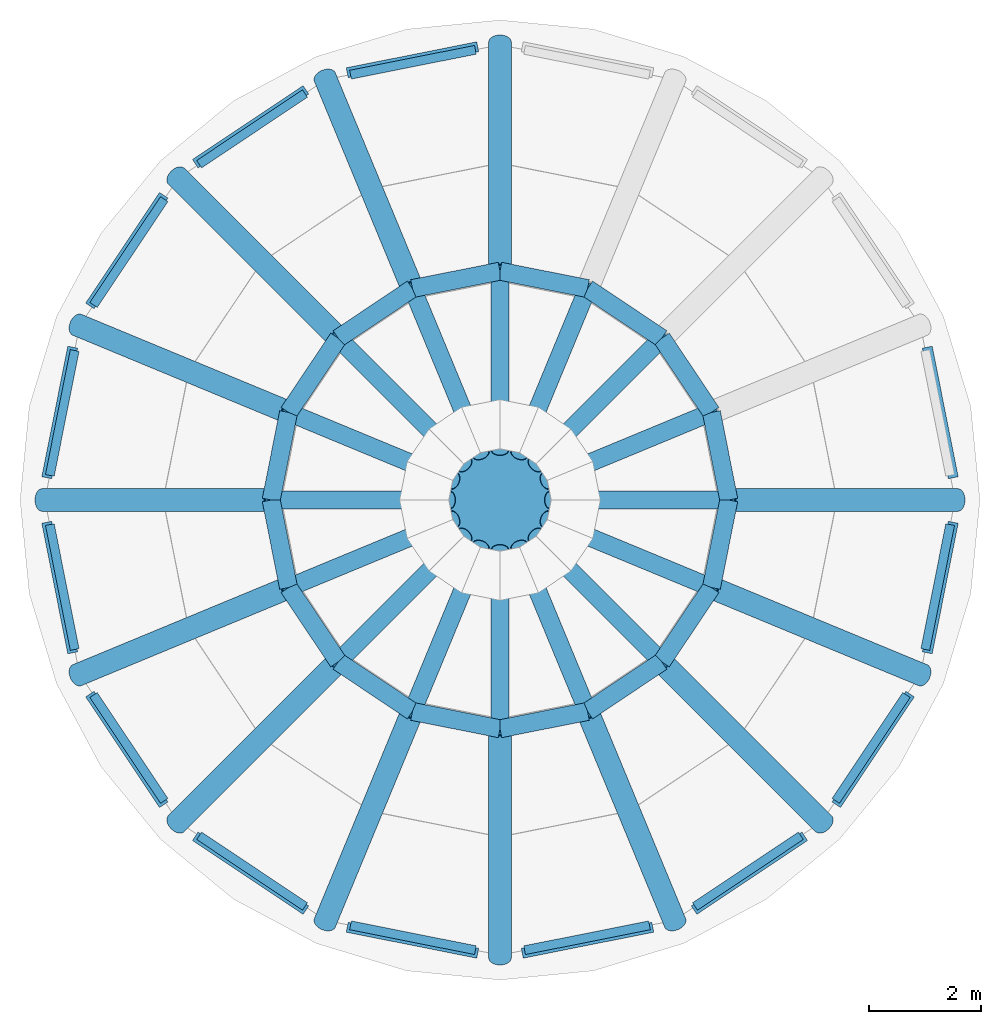
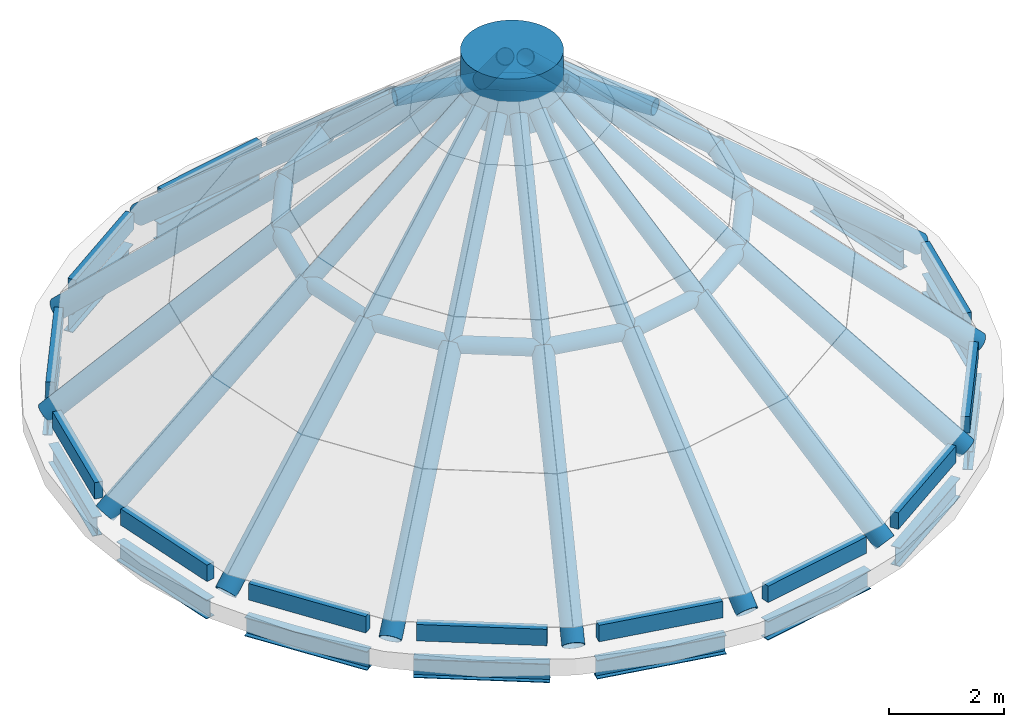
# One storey, part 1 of 3: 58 members, 13 beams, 12 elements without a shape of their own.
"""IFC4 building model written with IfcOpenShell, lengths in metres."""

from ifc_helpers import new_model, si_unit, direction, frame, origin, origin_2d, place, context, subcontext, project, spatial, rectangle, circle, hollow_circle, i_section, extrude, material, material_profile, profile_set, type_object, element, aggregate, save


model = new_model("IFC4")

# Units and contexts
model_context = context("Model", 3, precision=1e-05, world=origin(), true_north=direction((0.0, 1.0)))
body_context = subcontext(model_context, "Body", "Model", "MODEL_VIEW")
ifc_project = project(units=[si_unit("LENGTHUNIT", "METRE"), si_unit("AREAUNIT", "SQUARE_METRE"), si_unit("VOLUMEUNIT", "CUBIC_METRE"), si_unit("PLANEANGLEUNIT", "RADIAN"), si_unit("MASSUNIT", "GRAM", prefix="KILO")], contexts=[model_context])

# Site, building, storey
site_placement = place(None, origin())
site = spatial("IfcSite", under=ifc_project, at=site_placement, CompositionType="ELEMENT")
building_placement = place(site_placement, origin())
building = spatial("IfcBuilding", under=site, at=building_placement, Name="Polderwave Tower", CompositionType="ELEMENT")
storey_placement = place(building_placement, frame((0.0, 0.0, 247.699951171875)))
storey = spatial("IfcBuildingStorey", under=building, at=storey_placement, Name="Roof crown", CompositionType="ELEMENT", Elevation=247.699951171875)

# Members
ifc_material_1 = material(Name="Steel S460", Category="steel")
ifc_material_profile_1 = material_profile(ifc_material_1, circle(Radius=0.89990234375, at=origin_2d()), Name="HUB D1800")
ifc_profile_set_1 = profile_set([ifc_material_profile_1], Name="Steel S460")
member_type_1 = type_object("IfcMemberType", Name="CROWN FRAME HUB D1800", PredefinedType="POST", material=ifc_profile_set_1)
member_1_placement = place(storey_placement, frame((0.0, 0.0, 5.800048828125), z_axis=(0.0, 0.0, 1.0), x_axis=(1.0, 0.0, 0.0)))
element("IfcMember", 1, at=member_1_placement, inside=storey, type_object=member_type_1, Name="ST-CF-HUB", PredefinedType="POST", context=body_context, shape_type="SweptSolid", body=[
    extrude(circle(Radius=0.89990234375, at=origin_2d()), origin(), (0.0, 0.0, 1.0), 1.199951171875),
])
ifc_material_profile_2 = material_profile(ifc_material_1, hollow_circle(Radius=0.161865234375, WallThickness=0.012451171875, at=origin_2d()), Name="CHS 323.9x12.5")
ifc_profile_set_2 = profile_set([ifc_material_profile_2], Name="Steel S460")
member_type_2 = type_object("IfcMemberType", Name="CROWN FRAME RIB CHS 323.9x12.5", PredefinedType="RAFTER", material=ifc_profile_set_2)
member_2_placement = place(storey_placement, frame((4.10009765625, 0.0, 3.5), z_axis=(-0.760586166151, 0.0, 0.649237001302), x_axis=(0.0, -1.0, 0.0)))
element("IfcMember", 2, at=member_2_placement, inside=storey, type_object=member_type_2, Name="ST-CF-RIB-00B", PredefinedType="RAFTER", context=body_context, shape_type="SweptSolid", body=[
    extrude(hollow_circle(Radius=0.161865234375, WallThickness=0.012451171875, at=origin_2d()), origin(), (0.0, 0.0, 1.0), 4.20751953125),
])
for number, where, z_axis, x_axis, name in (
    (3, (3.787841796875, 1.569091796875, 3.5), (-0.702656906259, -0.291066730679, 0.649271461238), (0.382702185954, -0.923871764297, 0.0), "ST-CF-RIB-01B"),
    (4, (2.899169921875, 2.899169921875, 3.5), (-0.537797151946, -0.537797151946, 0.649267623341), (0.707106781187, -0.707106781187, 0.0), "ST-CF-RIB-02B"),
    (5, (1.569091796875, 3.787841796875, 3.5), (-0.291066730679, -0.702656906259, 0.649271461238), (0.923871764297, -0.382702185954, 0.0), "ST-CF-RIB-03B"),
):
    element("IfcMember", number, at=place(storey_placement, frame(where, z_axis=z_axis, x_axis=x_axis)), inside=storey, type_object=member_type_2, Name=name, PredefinedType="RAFTER", context=body_context, shape_type="SweptSolid", body=[
        extrude(hollow_circle(Radius=0.161865234375, WallThickness=0.012451171875, at=origin_2d()), origin(), (0.0, 0.0, 1.0), 4.207275390625),
    ])
member_3_placement = place(storey_placement, frame((0.0, 4.10009765625, 3.5), z_axis=(0.0, -0.760586166151, 0.649237001302), x_axis=(1.0, 0.0, 0.0)))
element("IfcMember", 6, at=member_3_placement, inside=storey, type_object=member_type_2, Name="ST-CF-RIB-04B", PredefinedType="RAFTER", context=body_context, shape_type="SweptSolid", body=[
    extrude(hollow_circle(Radius=0.161865234375, WallThickness=0.012451171875, at=origin_2d()), origin(), (0.0, 0.0, 1.0), 4.20751953125),
])
for number, where, z_axis, x_axis, name in (
    (7, (-1.569091796875, 3.787841796875, 3.5), (0.291066730679, -0.702656906259, 0.649271461238), (0.923871764297, 0.382702185954, 0.0), "ST-CF-RIB-05B"),
    (8, (-2.899169921875, 2.899169921875, 3.5), (0.537797151946, -0.537797151946, 0.649267623341), (0.707106781187, 0.707106781187, 0.0), "ST-CF-RIB-06B"),
    (9, (-3.787841796875, 1.569091796875, 3.5), (0.702656906259, -0.291066730679, 0.649271461238), (0.382702185954, 0.923871764297, 0.0), "ST-CF-RIB-07B"),
):
    element("IfcMember", number, at=place(storey_placement, frame(where, z_axis=z_axis, x_axis=x_axis)), inside=storey, type_object=member_type_2, Name=name, PredefinedType="RAFTER", context=body_context, shape_type="SweptSolid", body=[
        extrude(hollow_circle(Radius=0.161865234375, WallThickness=0.012451171875, at=origin_2d()), origin(), (0.0, 0.0, 1.0), 4.207275390625),
    ])
member_4_placement = place(storey_placement, frame((-4.10009765625, 0.0, 3.5), z_axis=(0.760586166151, 0.0, 0.649237001302), x_axis=(0.0, 1.0, 0.0)))
element("IfcMember", 10, at=member_4_placement, inside=storey, type_object=member_type_2, Name="ST-CF-RIB-08B", PredefinedType="RAFTER", context=body_context, shape_type="SweptSolid", body=[
    extrude(hollow_circle(Radius=0.161865234375, WallThickness=0.012451171875, at=origin_2d()), origin(), (0.0, 0.0, 1.0), 4.20751953125),
])
for number, where, z_axis, x_axis, name in (
    (11, (-3.787841796875, -1.569091796875, 3.5), (0.702656906259, 0.291066730679, 0.649271461238), (-0.382702185954, 0.923871764297, 0.0), "ST-CF-RIB-09B"),
    (12, (-2.899169921875, -2.899169921875, 3.5), (0.537797151946, 0.537797151946, 0.649267623341), (-0.707106781187, 0.707106781187, 0.0), "ST-CF-RIB-10B"),
    (13, (-1.569091796875, -3.787841796875, 3.5), (0.291066730679, 0.702656906259, 0.649271461238), (-0.923871764297, 0.382702185954, 0.0), "ST-CF-RIB-11B"),
):
    element("IfcMember", number, at=place(storey_placement, frame(where, z_axis=z_axis, x_axis=x_axis)), inside=storey, type_object=member_type_2, Name=name, PredefinedType="RAFTER", context=body_context, shape_type="SweptSolid", body=[
        extrude(hollow_circle(Radius=0.161865234375, WallThickness=0.012451171875, at=origin_2d()), origin(), (0.0, 0.0, 1.0), 4.207275390625),
    ])
member_5_placement = place(storey_placement, frame((0.0, -4.10009765625, 3.5), z_axis=(0.0, 0.760586166151, 0.649237001302), x_axis=(-1.0, 0.0, 0.0)))
element("IfcMember", 14, at=member_5_placement, inside=storey, type_object=member_type_2, Name="ST-CF-RIB-12B", PredefinedType="RAFTER", context=body_context, shape_type="SweptSolid", body=[
    extrude(hollow_circle(Radius=0.161865234375, WallThickness=0.012451171875, at=origin_2d()), origin(), (0.0, 0.0, 1.0), 4.20751953125),
])
for number, where, z_axis, x_axis, name in (
    (15, (1.569091796875, -3.787841796875, 3.5), (-0.291066730679, 0.702656906259, 0.649271461238), (-0.923871764297, -0.382702185954, 0.0), "ST-CF-RIB-13B"),
    (16, (2.899169921875, -2.899169921875, 3.5), (-0.537797151946, 0.537797151946, 0.649267623341), (-0.707106781187, -0.707106781187, 0.0), "ST-CF-RIB-14B"),
    (17, (3.787841796875, -1.569091796875, 3.5), (-0.702656906259, 0.291066730679, 0.649271461238), (-0.382702185954, -0.923871764297, 0.0), "ST-CF-RIB-15B"),
):
    element("IfcMember", number, at=place(storey_placement, frame(where, z_axis=z_axis, x_axis=x_axis)), inside=storey, type_object=member_type_2, Name=name, PredefinedType="RAFTER", context=body_context, shape_type="SweptSolid", body=[
        extrude(hollow_circle(Radius=0.161865234375, WallThickness=0.012451171875, at=origin_2d()), origin(), (0.0, 0.0, 1.0), 4.207275390625),
    ])
ifc_material_profile_3 = material_profile(ifc_material_1, hollow_circle(Radius=0.203125, WallThickness=0.01611328125, at=origin_2d()), Name="CHS 406.4x16")
ifc_profile_set_3 = profile_set([ifc_material_profile_3], Name="Steel S460")
member_type_3 = type_object("IfcMemberType", Name="CROWN FRAME RIB CHS 406.4x16", PredefinedType="RAFTER", material=ifc_profile_set_3)
for number, where, z_axis, x_axis, name in (
    (18, (8.199951171875, 0.0, 0.0), (-0.76055304714, 0.0, 0.649275798476), (0.0, -1.0, 0.0), "ST-CF-RIB-00A"),
    (19, (0.0, 8.199951171875, 0.0), (0.0, -0.76055304714, 0.649275798476), (1.0, 0.0, 0.0), "ST-CF-RIB-04A"),
):
    element("IfcMember", number, at=place(storey_placement, frame(where, z_axis=z_axis, x_axis=x_axis)), inside=storey, type_object=member_type_3, Name=name, PredefinedType="RAFTER", context=body_context, shape_type="SweptSolid", body=[
        extrude(hollow_circle(Radius=0.203125, WallThickness=0.01611328125, at=origin_2d()), origin(), (0.0, 0.0, 1.0), 5.390625),
    ])
for number, where, z_axis, x_axis, name in (
    (20, (-3.137939453125, 7.575927734375, 0.0), (0.291022392901, -0.702692724595, 0.649252571525), (0.923899270644, 0.382635776821, 0.0), "ST-CF-RIB-05A"),
    (21, (-5.79833984375, 5.79833984375, 0.0), (0.537802828638, -0.537802828638, 0.649258219061), (0.707106781187, 0.707106781187, 0.0), "ST-CF-RIB-06A"),
    (22, (-7.575927734375, 3.137939453125, 0.0), (0.702692724595, -0.291022392901, 0.649252571525), (0.382635776821, 0.923899270644, 0.0), "ST-CF-RIB-07A"),
):
    element("IfcMember", number, at=place(storey_placement, frame(where, z_axis=z_axis, x_axis=x_axis)), inside=storey, type_object=member_type_3, Name=name, PredefinedType="RAFTER", context=body_context, shape_type="SweptSolid", body=[
        extrude(hollow_circle(Radius=0.203125, WallThickness=0.01611328125, at=origin_2d()), origin(), (0.0, 0.0, 1.0), 5.390869140625),
    ])
member_6_placement = place(storey_placement, frame((-8.199951171875, 0.0, 0.0), z_axis=(0.76055304714, 0.0, 0.649275798476), x_axis=(0.0, 1.0, 0.0)))
element("IfcMember", 23, at=member_6_placement, inside=storey, type_object=member_type_3, Name="ST-CF-RIB-08A", PredefinedType="RAFTER", context=body_context, shape_type="SweptSolid", body=[
    extrude(hollow_circle(Radius=0.203125, WallThickness=0.01611328125, at=origin_2d()), origin(), (0.0, 0.0, 1.0), 5.390625),
])
for number, where, z_axis, x_axis, name in (
    (24, (-7.575927734375, -3.137939453125, 0.0), (0.702692724595, 0.291022392901, 0.649252571525), (-0.382635776821, 0.923899270644, 0.0), "ST-CF-RIB-09A"),
    (25, (-5.79833984375, -5.79833984375, 0.0), (0.537802828638, 0.537802828638, 0.649258219061), (-0.707106781187, 0.707106781187, 0.0), "ST-CF-RIB-10A"),
    (26, (-3.137939453125, -7.575927734375, 0.0), (0.291022392901, 0.702692724595, 0.649252571525), (-0.923899270644, 0.382635776821, 0.0), "ST-CF-RIB-11A"),
):
    element("IfcMember", number, at=place(storey_placement, frame(where, z_axis=z_axis, x_axis=x_axis)), inside=storey, type_object=member_type_3, Name=name, PredefinedType="RAFTER", context=body_context, shape_type="SweptSolid", body=[
        extrude(hollow_circle(Radius=0.203125, WallThickness=0.01611328125, at=origin_2d()), origin(), (0.0, 0.0, 1.0), 5.390869140625),
    ])
member_7_placement = place(storey_placement, frame((0.0, -8.199951171875, 0.0), z_axis=(0.0, 0.76055304714, 0.649275798476), x_axis=(-1.0, 0.0, 0.0)))
element("IfcMember", 27, at=member_7_placement, inside=storey, type_object=member_type_3, Name="ST-CF-RIB-12A", PredefinedType="RAFTER", context=body_context, shape_type="SweptSolid", body=[
    extrude(hollow_circle(Radius=0.203125, WallThickness=0.01611328125, at=origin_2d()), origin(), (0.0, 0.0, 1.0), 5.390625),
])
for number, where, z_axis, x_axis, name in (
    (28, (3.137939453125, -7.575927734375, 0.0), (-0.291022392901, 0.702692724595, 0.649252571525), (-0.923899270644, -0.382635776821, 0.0), "ST-CF-RIB-13A"),
    (29, (5.79833984375, -5.79833984375, 0.0), (-0.537802828638, 0.537802828638, 0.649258219061), (-0.707106781187, -0.707106781187, 0.0), "ST-CF-RIB-14A"),
    (30, (7.575927734375, -3.137939453125, 0.0), (-0.702692724595, 0.291022392901, 0.649252571525), (-0.382635776821, -0.923899270644, 0.0), "ST-CF-RIB-15A"),
):
    element("IfcMember", number, at=place(storey_placement, frame(where, z_axis=z_axis, x_axis=x_axis)), inside=storey, type_object=member_type_3, Name=name, PredefinedType="RAFTER", context=body_context, shape_type="SweptSolid", body=[
        extrude(hollow_circle(Radius=0.203125, WallThickness=0.01611328125, at=origin_2d()), origin(), (0.0, 0.0, 1.0), 5.390869140625),
    ])
ifc_material_profile_4 = material_profile(ifc_material_1, hollow_circle(Radius=0.161865234375, WallThickness=0.012451171875, at=origin_2d()), Name="CHS 323.9x12.5")
ifc_profile_set_4 = profile_set([ifc_material_profile_4], Name="Steel S460")
member_type_4 = type_object("IfcMemberType", Name="CROWN FRAME RING CHS 323.9x12.5", PredefinedType="STRUT", material=ifc_profile_set_4)
member_8_placement = place(storey_placement, frame((4.10009765625, 0.0, 3.5), z_axis=(-0.195176960771, 0.980768042905, 0.0), x_axis=(-0.980768042905, -0.195176960771, 0.0)))
element("IfcMember", 31, at=member_8_placement, inside=storey, type_object=member_type_4, Name="ST-CF-RING-00", PredefinedType="STRUT", context=body_context, shape_type="SweptSolid", body=[
    extrude(hollow_circle(Radius=0.161865234375, WallThickness=0.012451171875, at=origin_2d()), origin(), (0.0, 0.0, 1.0), 1.599853515625),
])
for number, where, z_axis, x_axis, name in (
    (32, (3.787841796875, 1.569091796875, 3.5), (-0.555545202762, 0.831486336441, 0.0), (-0.831486336441, -0.555545202762, 0.0), "ST-CF-RING-01"),
    (33, (2.899169921875, 2.899169921875, 3.5), (-0.831486336441, 0.555545202762, 0.0), (-0.555545202762, -0.831486336441, 0.0), "ST-CF-RING-02"),
):
    element("IfcMember", number, at=place(storey_placement, frame(where, z_axis=z_axis, x_axis=x_axis)), inside=storey, type_object=member_type_4, Name=name, PredefinedType="STRUT", context=body_context, shape_type="SweptSolid", body=[
        extrude(hollow_circle(Radius=0.161865234375, WallThickness=0.012451171875, at=origin_2d()), origin(), (0.0, 0.0, 1.0), 1.599609375),
    ])
for number, where, z_axis, x_axis, name in (
    (34, (1.569091796875, 3.787841796875, 3.5), (-0.980768042905, 0.195176960771, 0.0), (-0.195176960771, -0.980768042905, 0.0), "ST-CF-RING-03"),
    (35, (0.0, 4.10009765625, 3.5), (-0.980768042905, -0.195176960771, 0.0), (0.195176960771, -0.980768042905, 0.0), "ST-CF-RING-04"),
):
    element("IfcMember", number, at=place(storey_placement, frame(where, z_axis=z_axis, x_axis=x_axis)), inside=storey, type_object=member_type_4, Name=name, PredefinedType="STRUT", context=body_context, shape_type="SweptSolid", body=[
        extrude(hollow_circle(Radius=0.161865234375, WallThickness=0.012451171875, at=origin_2d()), origin(), (0.0, 0.0, 1.0), 1.599853515625),
    ])
for number, where, z_axis, x_axis, name in (
    (36, (-1.569091796875, 3.787841796875, 3.5), (-0.831486336441, -0.555545202762, 0.0), (0.555545202762, -0.831486336441, 0.0), "ST-CF-RING-05"),
    (37, (-2.899169921875, 2.899169921875, 3.5), (-0.555545202762, -0.831486336441, 0.0), (0.831486336441, -0.555545202762, 0.0), "ST-CF-RING-06"),
):
    element("IfcMember", number, at=place(storey_placement, frame(where, z_axis=z_axis, x_axis=x_axis)), inside=storey, type_object=member_type_4, Name=name, PredefinedType="STRUT", context=body_context, shape_type="SweptSolid", body=[
        extrude(hollow_circle(Radius=0.161865234375, WallThickness=0.012451171875, at=origin_2d()), origin(), (0.0, 0.0, 1.0), 1.599609375),
    ])
for number, where, z_axis, x_axis, name in (
    (38, (-3.787841796875, 1.569091796875, 3.5), (-0.195176960771, -0.980768042905, 0.0), (0.980768042905, -0.195176960771, 0.0), "ST-CF-RING-07"),
    (39, (-4.10009765625, 0.0, 3.5), (0.195176960771, -0.980768042905, 0.0), (0.980768042905, 0.195176960771, 0.0), "ST-CF-RING-08"),
):
    element("IfcMember", number, at=place(storey_placement, frame(where, z_axis=z_axis, x_axis=x_axis)), inside=storey, type_object=member_type_4, Name=name, PredefinedType="STRUT", context=body_context, shape_type="SweptSolid", body=[
        extrude(hollow_circle(Radius=0.161865234375, WallThickness=0.012451171875, at=origin_2d()), origin(), (0.0, 0.0, 1.0), 1.599853515625),
    ])
for number, where, z_axis, x_axis, name in (
    (40, (-3.787841796875, -1.569091796875, 3.5), (0.555545202762, -0.831486336441, 0.0), (0.831486336441, 0.555545202762, 0.0), "ST-CF-RING-09"),
    (41, (-2.899169921875, -2.899169921875, 3.5), (0.831486336441, -0.555545202762, 0.0), (0.555545202762, 0.831486336441, 0.0), "ST-CF-RING-10"),
):
    element("IfcMember", number, at=place(storey_placement, frame(where, z_axis=z_axis, x_axis=x_axis)), inside=storey, type_object=member_type_4, Name=name, PredefinedType="STRUT", context=body_context, shape_type="SweptSolid", body=[
        extrude(hollow_circle(Radius=0.161865234375, WallThickness=0.012451171875, at=origin_2d()), origin(), (0.0, 0.0, 1.0), 1.599609375),
    ])
for number, where, z_axis, x_axis, name in (
    (42, (-1.569091796875, -3.787841796875, 3.5), (0.980768042905, -0.195176960771, 0.0), (0.195176960771, 0.980768042905, 0.0), "ST-CF-RING-11"),
    (43, (0.0, -4.10009765625, 3.5), (0.980768042905, 0.195176960771, 0.0), (-0.195176960771, 0.980768042905, 0.0), "ST-CF-RING-12"),
):
    element("IfcMember", number, at=place(storey_placement, frame(where, z_axis=z_axis, x_axis=x_axis)), inside=storey, type_object=member_type_4, Name=name, PredefinedType="STRUT", context=body_context, shape_type="SweptSolid", body=[
        extrude(hollow_circle(Radius=0.161865234375, WallThickness=0.012451171875, at=origin_2d()), origin(), (0.0, 0.0, 1.0), 1.599853515625),
    ])
for number, where, z_axis, x_axis, name in (
    (44, (1.569091796875, -3.787841796875, 3.5), (0.831486336441, 0.555545202762, 0.0), (-0.555545202762, 0.831486336441, 0.0), "ST-CF-RING-13"),
    (45, (2.899169921875, -2.899169921875, 3.5), (0.555545202762, 0.831486336441, 0.0), (-0.831486336441, 0.555545202762, 0.0), "ST-CF-RING-14"),
):
    element("IfcMember", number, at=place(storey_placement, frame(where, z_axis=z_axis, x_axis=x_axis)), inside=storey, type_object=member_type_4, Name=name, PredefinedType="STRUT", context=body_context, shape_type="SweptSolid", body=[
        extrude(hollow_circle(Radius=0.161865234375, WallThickness=0.012451171875, at=origin_2d()), origin(), (0.0, 0.0, 1.0), 1.599609375),
    ])
member_9_placement = place(storey_placement, frame((3.787841796875, -1.569091796875, 3.5), z_axis=(0.195176960771, 0.980768042905, 0.0), x_axis=(-0.980768042905, 0.195176960771, 0.0)))
element("IfcMember", 46, at=member_9_placement, inside=storey, type_object=member_type_4, Name="ST-CF-RING-15", PredefinedType="STRUT", context=body_context, shape_type="SweptSolid", body=[
    extrude(hollow_circle(Radius=0.161865234375, WallThickness=0.012451171875, at=origin_2d()), origin(), (0.0, 0.0, 1.0), 1.599853515625),
])

# Curtain wall, member
ifc_material_2 = material(Name="Aluminium 6063-T6 and glass", Category="aluminium")
curtain_wall_type = type_object("IfcCurtainWallType", Name="Glass point glazing wall", PredefinedType="NOTDEFINED", material=ifc_material_2)
curtain_wall_1_placement = place(storey_placement, origin())
curtain_wall_1 = element("IfcCurtainWall", 47, at=curtain_wall_1_placement, inside=storey, type_object=curtain_wall_type, Name="CROWN CW8 glass point facet 5", PredefinedType="NOTDEFINED")
ifc_material_3 = material(Name="Aluminium 6063-T6", Category="aluminium")
ifc_material_profile_5 = material_profile(ifc_material_3, rectangle(XDim=0.159912109375, YDim=0.35009765625, at=origin_2d()), Name="AL 350x160")
ifc_profile_set_5 = profile_set([ifc_material_profile_5], Name="Aluminium 6063-T6")
member_type_5 = type_object("IfcMemberType", Name="Glass point glazing transom 350x160", PredefinedType="USERDEFINED", material=ifc_profile_set_5)
member_10_placement = place(storey_placement, frame((-0.44140625, 8.06591796875, 0.175048828125), z_axis=(-0.980785932507, -0.19508704364, 0.0), x_axis=(0.19508704364, -0.980785932507, 0.0)))
member_10 = element("IfcMember", 48, at=member_10_placement, type_object=member_type_5, Name="CW8 transom 5", ObjectType="TRANSOM", PredefinedType="USERDEFINED", context=body_context, shape_type="SweptSolid", body=[
    extrude(rectangle(XDim=0.159912109375, YDim=0.35009765625, at=origin_2d()), origin(), (0.0, 0.0, 1.0), 2.281494140625),
])
aggregate(curtain_wall_1, [member_10])

curtain_wall_2_placement = place(storey_placement, origin())
curtain_wall_2 = element("IfcCurtainWall", 49, at=curtain_wall_2_placement, inside=storey, type_object=curtain_wall_type, Name="CROWN CW8 glass point facet 6", PredefinedType="NOTDEFINED")
member_11_placement = place(storey_placement, frame((-3.494384765625, 7.283203125, 0.175048828125), z_axis=(-0.831457156166, -0.555588874493, 0.0), x_axis=(0.555588874493, -0.831457156166, 0.0)))
member_11 = element("IfcMember", 50, at=member_11_placement, type_object=member_type_5, Name="CW8 transom 6", ObjectType="TRANSOM", PredefinedType="USERDEFINED", context=body_context, shape_type="SweptSolid", body=[
    extrude(rectangle(XDim=0.159912109375, YDim=0.35009765625, at=origin_2d()), origin(), (0.0, 0.0, 1.0), 2.281494140625),
])
aggregate(curtain_wall_2, [member_11])

curtain_wall_3_placement = place(storey_placement, origin())
curtain_wall_3 = element("IfcCurtainWall", 51, at=curtain_wall_3_placement, inside=storey, type_object=curtain_wall_type, Name="CROWN CW8 glass point facet 7", PredefinedType="NOTDEFINED")
member_12_placement = place(storey_placement, frame((-6.015625, 5.391357421875, 0.175048828125), z_axis=(-0.555588874493, -0.831457156166, 0.0), x_axis=(0.831457156166, -0.555588874493, 0.0)))
member_12 = element("IfcMember", 52, at=member_12_placement, type_object=member_type_5, Name="CW8 transom 7", ObjectType="TRANSOM", PredefinedType="USERDEFINED", context=body_context, shape_type="SweptSolid", body=[
    extrude(rectangle(XDim=0.159912109375, YDim=0.35009765625, at=origin_2d()), origin(), (0.0, 0.0, 1.0), 2.281494140625),
])
aggregate(curtain_wall_3, [member_12])

curtain_wall_4_placement = place(storey_placement, origin())
curtain_wall_4 = element("IfcCurtainWall", 53, at=curtain_wall_4_placement, inside=storey, type_object=curtain_wall_type, Name="CROWN CW8 glass point facet 8", PredefinedType="NOTDEFINED")
member_13_placement = place(storey_placement, frame((-7.620849609375, 2.678955078125, 0.175048828125), z_axis=(-0.19508704364, -0.980785932507, 0.0), x_axis=(0.980785932507, -0.19508704364, 0.0)))
member_13 = element("IfcMember", 54, at=member_13_placement, type_object=member_type_5, Name="CW8 transom 8", ObjectType="TRANSOM", PredefinedType="USERDEFINED", context=body_context, shape_type="SweptSolid", body=[
    extrude(rectangle(XDim=0.159912109375, YDim=0.35009765625, at=origin_2d()), origin(), (0.0, 0.0, 1.0), 2.281494140625),
])
aggregate(curtain_wall_4, [member_13])

curtain_wall_5_placement = place(storey_placement, origin())
curtain_wall_5 = element("IfcCurtainWall", 55, at=curtain_wall_5_placement, inside=storey, type_object=curtain_wall_type, Name="CROWN CW8 glass point facet 9", PredefinedType="NOTDEFINED")
member_14_placement = place(storey_placement, frame((-8.06591796875, -0.44140625, 0.175048828125), z_axis=(0.19508704364, -0.980785932507, 0.0), x_axis=(0.980785932507, 0.19508704364, 0.0)))
member_14 = element("IfcMember", 56, at=member_14_placement, type_object=member_type_5, Name="CW8 transom 9", ObjectType="TRANSOM", PredefinedType="USERDEFINED", context=body_context, shape_type="SweptSolid", body=[
    extrude(rectangle(XDim=0.159912109375, YDim=0.35009765625, at=origin_2d()), origin(), (0.0, 0.0, 1.0), 2.281494140625),
])
aggregate(curtain_wall_5, [member_14])

curtain_wall_6_placement = place(storey_placement, origin())
curtain_wall_6 = element("IfcCurtainWall", 57, at=curtain_wall_6_placement, inside=storey, type_object=curtain_wall_type, Name="CROWN CW8 glass point facet 10", PredefinedType="NOTDEFINED")
member_15_placement = place(storey_placement, frame((-7.283203125, -3.494384765625, 0.175048828125), z_axis=(0.555588874493, -0.831457156166, 0.0), x_axis=(0.831457156166, 0.555588874493, 0.0)))
member_15 = element("IfcMember", 58, at=member_15_placement, type_object=member_type_5, Name="CW8 transom 10", ObjectType="TRANSOM", PredefinedType="USERDEFINED", context=body_context, shape_type="SweptSolid", body=[
    extrude(rectangle(XDim=0.159912109375, YDim=0.35009765625, at=origin_2d()), origin(), (0.0, 0.0, 1.0), 2.281494140625),
])
aggregate(curtain_wall_6, [member_15])

curtain_wall_7_placement = place(storey_placement, origin())
curtain_wall_7 = element("IfcCurtainWall", 59, at=curtain_wall_7_placement, inside=storey, type_object=curtain_wall_type, Name="CROWN CW8 glass point facet 11", PredefinedType="NOTDEFINED")
member_16_placement = place(storey_placement, frame((-5.391357421875, -6.015625, 0.175048828125), z_axis=(0.831457156166, -0.555588874493, 0.0), x_axis=(0.555588874493, 0.831457156166, 0.0)))
member_16 = element("IfcMember", 60, at=member_16_placement, type_object=member_type_5, Name="CW8 transom 11", ObjectType="TRANSOM", PredefinedType="USERDEFINED", context=body_context, shape_type="SweptSolid", body=[
    extrude(rectangle(XDim=0.159912109375, YDim=0.35009765625, at=origin_2d()), origin(), (0.0, 0.0, 1.0), 2.281494140625),
])
aggregate(curtain_wall_7, [member_16])

curtain_wall_8_placement = place(storey_placement, origin())
curtain_wall_8 = element("IfcCurtainWall", 61, at=curtain_wall_8_placement, inside=storey, type_object=curtain_wall_type, Name="CROWN CW8 glass point facet 12", PredefinedType="NOTDEFINED")
member_17_placement = place(storey_placement, frame((-2.678955078125, -7.620849609375, 0.175048828125), z_axis=(0.980785932507, -0.19508704364, 0.0), x_axis=(0.19508704364, 0.980785932507, 0.0)))
member_17 = element("IfcMember", 62, at=member_17_placement, type_object=member_type_5, Name="CW8 transom 12", ObjectType="TRANSOM", PredefinedType="USERDEFINED", context=body_context, shape_type="SweptSolid", body=[
    extrude(rectangle(XDim=0.159912109375, YDim=0.35009765625, at=origin_2d()), origin(), (0.0, 0.0, 1.0), 2.281494140625),
])
aggregate(curtain_wall_8, [member_17])

curtain_wall_9_placement = place(storey_placement, origin())
curtain_wall_9 = element("IfcCurtainWall", 63, at=curtain_wall_9_placement, inside=storey, type_object=curtain_wall_type, Name="CROWN CW8 glass point facet 13", PredefinedType="NOTDEFINED")
member_18_placement = place(storey_placement, frame((0.44140625, -8.06591796875, 0.175048828125), z_axis=(0.980785932507, 0.19508704364, 0.0), x_axis=(-0.19508704364, 0.980785932507, 0.0)))
member_18 = element("IfcMember", 64, at=member_18_placement, type_object=member_type_5, Name="CW8 transom 13", ObjectType="TRANSOM", PredefinedType="USERDEFINED", context=body_context, shape_type="SweptSolid", body=[
    extrude(rectangle(XDim=0.159912109375, YDim=0.35009765625, at=origin_2d()), origin(), (0.0, 0.0, 1.0), 2.281494140625),
])
aggregate(curtain_wall_9, [member_18])

curtain_wall_10_placement = place(storey_placement, origin())
curtain_wall_10 = element("IfcCurtainWall", 65, at=curtain_wall_10_placement, inside=storey, type_object=curtain_wall_type, Name="CROWN CW8 glass point facet 14", PredefinedType="NOTDEFINED")
member_19_placement = place(storey_placement, frame((3.494384765625, -7.283203125, 0.175048828125), z_axis=(0.831457156166, 0.555588874493, 0.0), x_axis=(-0.555588874493, 0.831457156166, 0.0)))
member_19 = element("IfcMember", 66, at=member_19_placement, type_object=member_type_5, Name="CW8 transom 14", ObjectType="TRANSOM", PredefinedType="USERDEFINED", context=body_context, shape_type="SweptSolid", body=[
    extrude(rectangle(XDim=0.159912109375, YDim=0.35009765625, at=origin_2d()), origin(), (0.0, 0.0, 1.0), 2.281494140625),
])
aggregate(curtain_wall_10, [member_19])

curtain_wall_11_placement = place(storey_placement, origin())
curtain_wall_11 = element("IfcCurtainWall", 67, at=curtain_wall_11_placement, inside=storey, type_object=curtain_wall_type, Name="CROWN CW8 glass point facet 15", PredefinedType="NOTDEFINED")
member_20_placement = place(storey_placement, frame((6.015625, -5.391357421875, 0.175048828125), z_axis=(0.555588874493, 0.831457156166, 0.0), x_axis=(-0.831457156166, 0.555588874493, 0.0)))
member_20 = element("IfcMember", 68, at=member_20_placement, type_object=member_type_5, Name="CW8 transom 15", ObjectType="TRANSOM", PredefinedType="USERDEFINED", context=body_context, shape_type="SweptSolid", body=[
    extrude(rectangle(XDim=0.159912109375, YDim=0.35009765625, at=origin_2d()), origin(), (0.0, 0.0, 1.0), 2.281494140625),
])
aggregate(curtain_wall_11, [member_20])

curtain_wall_12_placement = place(storey_placement, origin())
curtain_wall_12 = element("IfcCurtainWall", 69, at=curtain_wall_12_placement, inside=storey, type_object=curtain_wall_type, Name="CROWN CW8 glass point facet 16", PredefinedType="NOTDEFINED")
member_21_placement = place(storey_placement, frame((7.620849609375, -2.678955078125, 0.175048828125), z_axis=(0.19508704364, 0.980785932507, 0.0), x_axis=(-0.980785932507, 0.19508704364, 0.0)))
member_21 = element("IfcMember", 70, at=member_21_placement, type_object=member_type_5, Name="CW8 transom 16", ObjectType="TRANSOM", PredefinedType="USERDEFINED", context=body_context, shape_type="SweptSolid", body=[
    extrude(rectangle(XDim=0.159912109375, YDim=0.35009765625, at=origin_2d()), origin(), (0.0, 0.0, 1.0), 2.281494140625),
])
aggregate(curtain_wall_12, [member_21])

# Beams
ifc_material_4 = material(Name="Steel S355", Category="steel")
ifc_material_profile_6 = material_profile(ifc_material_4, i_section(OverallWidth=0.179931640625, OverallDepth=0.39990234375, WebThickness=0.008544921875, FlangeThickness=0.013427734375, at=origin_2d()), Name="IPE 400")
ifc_profile_set_6 = profile_set([ifc_material_profile_6], Name="Steel S355")
beam_type = type_object("IfcBeamType", Name="RING BEAM IPE 400", PredefinedType="BEAM", material=ifc_profile_set_6)
for number, where, z_axis, x_axis, name in (
    (71, (8.120361328125, 0.39990234375, -0.550048828125), (-0.195091923596, 0.980784961828, 0.0), (-0.980784961828, -0.195091923596, 0.0), "ST-RB-Roof crown-00"),
    (72, (-0.39990234375, 8.120361328125, -0.550048828125), (-0.980784961828, -0.195091923596, 0.0), (0.195091923596, -0.980784961828, 0.0), "ST-RB-Roof crown-04"),
):
    element("IfcBeam", number, at=place(storey_placement, frame(where, z_axis=z_axis, x_axis=x_axis)), inside=storey, type_object=beam_type, Name=name, PredefinedType="BEAM", context=body_context, shape_type="SweptSolid", body=[
        extrude(i_section(OverallWidth=0.179931640625, OverallDepth=0.39990234375, WebThickness=0.008544921875, FlangeThickness=0.013427734375, at=origin_2d()), origin(), (0.0, 0.0, 1.0), 2.384033203125),
    ])
for number, where, z_axis, x_axis, name in (
    (73, (-3.47705078125, 7.34912109375, -0.550048828125), (-0.831514192688, -0.555503507962, 0.0), (0.555503507962, -0.831514192688, 0.0), "ST-RB-Roof crown-05"),
    (74, (-6.02490234375, 5.459228515625, -0.550048828125), (-0.555503507962, -0.831514192688, 0.0), (0.831514192688, -0.555503507962, 0.0), "ST-RB-Roof crown-06"),
):
    element("IfcBeam", number, at=place(storey_placement, frame(where, z_axis=z_axis, x_axis=x_axis)), inside=storey, type_object=beam_type, Name=name, PredefinedType="BEAM", context=body_context, shape_type="SweptSolid", body=[
        extrude(i_section(OverallWidth=0.179931640625, OverallDepth=0.39990234375, WebThickness=0.008544921875, FlangeThickness=0.013427734375, at=origin_2d()), origin(), (0.0, 0.0, 1.0), 2.3837890625),
    ])
for number, where, z_axis, x_axis, name in (
    (75, (-7.6552734375, 2.738037109375, -0.550048828125), (-0.195091923596, -0.980784961828, 0.0), (0.980784961828, -0.195091923596, 0.0), "ST-RB-Roof crown-07"),
    (76, (-8.120361328125, -0.39990234375, -0.550048828125), (0.195091923596, -0.980784961828, 0.0), (0.980784961828, 0.195091923596, 0.0), "ST-RB-Roof crown-08"),
):
    element("IfcBeam", number, at=place(storey_placement, frame(where, z_axis=z_axis, x_axis=x_axis)), inside=storey, type_object=beam_type, Name=name, PredefinedType="BEAM", context=body_context, shape_type="SweptSolid", body=[
        extrude(i_section(OverallWidth=0.179931640625, OverallDepth=0.39990234375, WebThickness=0.008544921875, FlangeThickness=0.013427734375, at=origin_2d()), origin(), (0.0, 0.0, 1.0), 2.384033203125),
    ])
for number, where, z_axis, x_axis, name in (
    (77, (-7.34912109375, -3.47705078125, -0.550048828125), (0.555503507962, -0.831514192688, 0.0), (0.831514192688, 0.555503507962, 0.0), "ST-RB-Roof crown-09"),
    (78, (-5.459228515625, -6.02490234375, -0.550048828125), (0.831514192688, -0.555503507962, 0.0), (0.555503507962, 0.831514192688, 0.0), "ST-RB-Roof crown-10"),
):
    element("IfcBeam", number, at=place(storey_placement, frame(where, z_axis=z_axis, x_axis=x_axis)), inside=storey, type_object=beam_type, Name=name, PredefinedType="BEAM", context=body_context, shape_type="SweptSolid", body=[
        extrude(i_section(OverallWidth=0.179931640625, OverallDepth=0.39990234375, WebThickness=0.008544921875, FlangeThickness=0.013427734375, at=origin_2d()), origin(), (0.0, 0.0, 1.0), 2.3837890625),
    ])
for number, where, z_axis, x_axis, name in (
    (79, (-2.738037109375, -7.6552734375, -0.550048828125), (0.980784961828, -0.195091923596, 0.0), (0.195091923596, 0.980784961828, 0.0), "ST-RB-Roof crown-11"),
    (80, (0.39990234375, -8.120361328125, -0.550048828125), (0.980784961828, 0.195091923596, 0.0), (-0.195091923596, 0.980784961828, 0.0), "ST-RB-Roof crown-12"),
):
    element("IfcBeam", number, at=place(storey_placement, frame(where, z_axis=z_axis, x_axis=x_axis)), inside=storey, type_object=beam_type, Name=name, PredefinedType="BEAM", context=body_context, shape_type="SweptSolid", body=[
        extrude(i_section(OverallWidth=0.179931640625, OverallDepth=0.39990234375, WebThickness=0.008544921875, FlangeThickness=0.013427734375, at=origin_2d()), origin(), (0.0, 0.0, 1.0), 2.384033203125),
    ])
for number, where, z_axis, x_axis, name in (
    (81, (3.47705078125, -7.34912109375, -0.550048828125), (0.831514192688, 0.555503507962, 0.0), (-0.555503507962, 0.831514192688, 0.0), "ST-RB-Roof crown-13"),
    (82, (6.02490234375, -5.459228515625, -0.550048828125), (0.555503507962, 0.831514192688, 0.0), (-0.831514192688, 0.555503507962, 0.0), "ST-RB-Roof crown-14"),
):
    element("IfcBeam", number, at=place(storey_placement, frame(where, z_axis=z_axis, x_axis=x_axis)), inside=storey, type_object=beam_type, Name=name, PredefinedType="BEAM", context=body_context, shape_type="SweptSolid", body=[
        extrude(i_section(OverallWidth=0.179931640625, OverallDepth=0.39990234375, WebThickness=0.008544921875, FlangeThickness=0.013427734375, at=origin_2d()), origin(), (0.0, 0.0, 1.0), 2.3837890625),
    ])
beam_placement = place(storey_placement, frame((7.6552734375, -2.738037109375, -0.550048828125), z_axis=(0.195091923596, 0.980784961828, 0.0), x_axis=(-0.980784961828, 0.195091923596, 0.0)))
element("IfcBeam", 83, at=beam_placement, inside=storey, type_object=beam_type, Name="ST-RB-Roof crown-15", PredefinedType="BEAM", context=body_context, shape_type="SweptSolid", body=[
    extrude(i_section(OverallWidth=0.179931640625, OverallDepth=0.39990234375, WebThickness=0.008544921875, FlangeThickness=0.013427734375, at=origin_2d()), origin(), (0.0, 0.0, 1.0), 2.384033203125),
])

save(model, "model.ifc")
